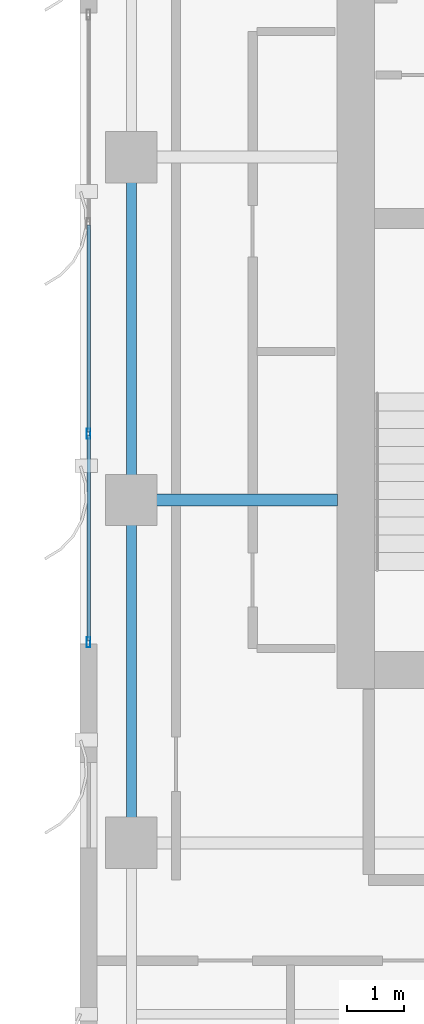
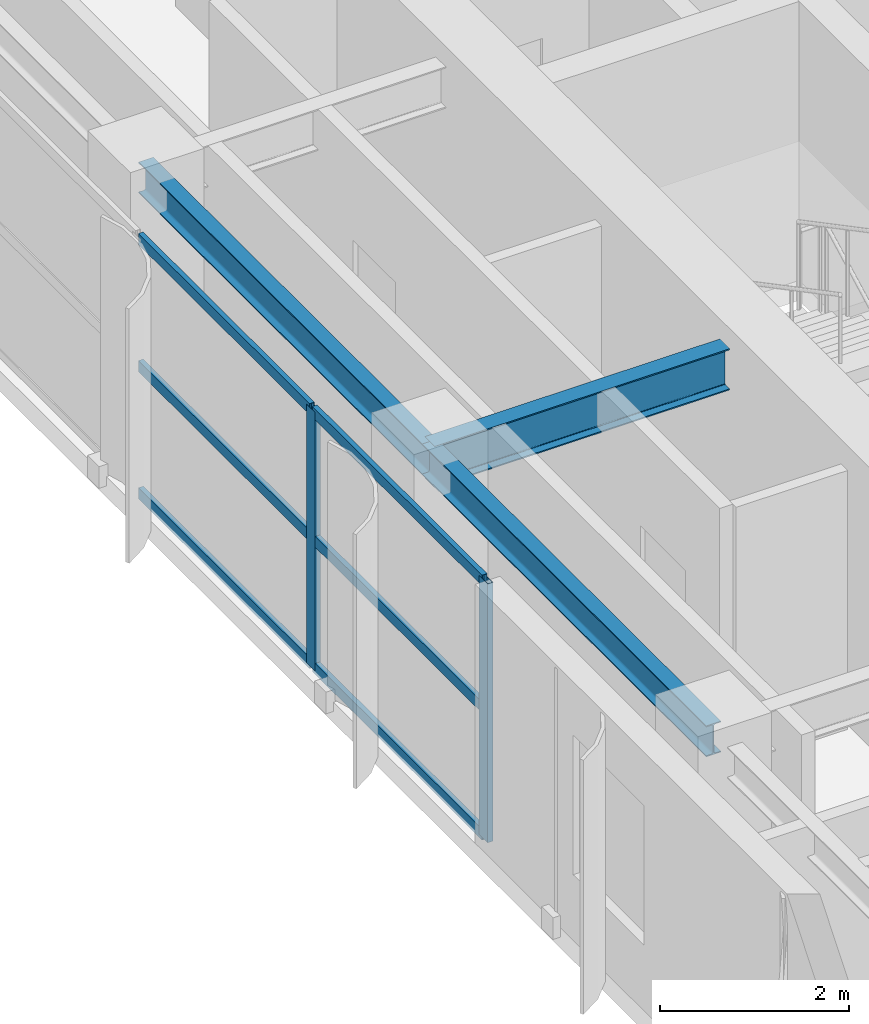
# One storey, part 5 of 21: 8 members, 3 beams, 1 element without a shape of its own.
"""IFC4 building model written with IfcOpenShell, lengths in metres."""

from ifc_helpers import new_model, si_unit, direction, frame, origin, origin_2d, place, context, subcontext, project, spatial, hollow_rectangle, i_section, extrude, source, transform, mapped, material, layer, layer_set, material_profile, profile_set, type_object, element, aggregate, save


model = new_model("IFC4")

# Units and contexts
model_context = context("Model", 3, precision=1e-05, world=origin(), true_north=direction((0.0, 1.0)))
body_context = subcontext(model_context, "Body", "Model", "MODEL_VIEW")
ifc_project = project(units=[si_unit("LENGTHUNIT", "METRE"), si_unit("AREAUNIT", "SQUARE_METRE"), si_unit("VOLUMEUNIT", "CUBIC_METRE"), si_unit("PLANEANGLEUNIT", "RADIAN"), si_unit("MASSUNIT", "GRAM", prefix="KILO")], contexts=[model_context])

# Site, building, storey
site_placement = place(None, origin())
site = spatial("IfcSite", under=ifc_project, at=site_placement, CompositionType="ELEMENT")
building_placement = place(site_placement, origin())
building = spatial("IfcBuilding", under=site, at=building_placement, Name="Khoralis Quay Care Tower", CompositionType="ELEMENT")
storey_placement = place(building_placement, frame((0.0, 0.0, 159.300048828125)))
storey = spatial("IfcBuildingStorey", under=building, at=storey_placement, Name="L41", CompositionType="ELEMENT", Elevation=159.300048828125)

# Beams
ifc_material_1 = material(Name="Steel S355", Category="steel")
ifc_material_profile_1 = material_profile(ifc_material_1, i_section(OverallWidth=0.179931640625, OverallDepth=0.39990234375, WebThickness=0.008544921875, FlangeThickness=0.013427734375, FilletRadius=0.02099609375, at=origin_2d()), Name="Steel S355")
ifc_profile_set_1 = profile_set([ifc_material_profile_1], Name="Steel S355")
beam_type_1 = type_object("IfcBeamType", Name="BM-IPE400", PredefinedType="SPANDREL", material=ifc_profile_set_1)
shared_shape_1 = source(origin(), body_context, "Body", "SweptSolid", [
    extrude(i_section(OverallWidth=0.179931640625, OverallDepth=0.39990234375, WebThickness=0.008544921875, FlangeThickness=0.013427734375, FilletRadius=0.02099609375, at=origin_2d()), origin(), (0.0, 0.0, 1.0), 6.0),
])
for number, where, z_axis, x_axis, name in (
    (1, (3.89990234375, 12.0, 3.139892578125), (0.0, 1.0, 0.0), (-1.0, 0.0, 0.0), "BM-TSP-L41-10"),
    (2, (3.89990234375, 18.0, 3.139892578125), (0.0, 1.0, 0.0), (-1.0, 0.0, 0.0), "BM-TSP-L41-11"),
):
    element("IfcBeam", number, at=place(storey_placement, frame(where, z_axis=z_axis, x_axis=x_axis)), inside=storey, type_object=beam_type_1, Name=name, PredefinedType="SPANDREL", context=body_context, shape_type="MappedRepresentation", body=[
        mapped(shared_shape_1, transform((0.0, 0.0, 0.0), scale=1.0)),
    ])
ifc_material_profile_2 = material_profile(ifc_material_1, i_section(OverallWidth=0.208984375, OverallDepth=0.532958984375, WebThickness=0.01025390625, FlangeThickness=0.015625, FilletRadius=0.01611328125, at=origin_2d()), Name="Steel S355")
ifc_profile_set_2 = profile_set([ifc_material_profile_2], Name="Steel S355")
beam_type_2 = type_object("IfcBeamType", Name="BM-W530X92", PredefinedType="BEAM", material=ifc_profile_set_2)
shared_shape_2 = source(origin(), body_context, "Body", "SweptSolid", [
    extrude(i_section(OverallWidth=0.208984375, OverallDepth=0.532958984375, WebThickness=0.01025390625, FlangeThickness=0.015625, FilletRadius=0.01611328125, at=origin_2d()), origin(), (0.0, 0.0, 1.0), 3.60205078125),
])
beam_placement = place(storey_placement, frame((3.89990234375, 18.0, 3.073486328125), z_axis=(1.0, 0.0, 0.0), x_axis=(0.0, 1.0, 0.0)))
element("IfcBeam", 3, at=beam_placement, inside=storey, type_object=beam_type_2, Name="BM-TGXW-L41-180", PredefinedType="BEAM", context=body_context, shape_type="MappedRepresentation", body=[
    mapped(shared_shape_2, transform((0.0, 0.0, 0.0), scale=1.0)),
])

# Curtain wall, members
ifc_material_2 = material(Name="Pale anodised aluminium", Category="aluminium")
ifc_layer = layer(ifc_material_2, 0.159912109375)
ifc_layer_set = layer_set([ifc_layer], Name="Pale anodised aluminium")
curtain_wall_type = type_object("IfcCurtainWallType", Name="CW-SYS-Z3", PredefinedType="NOTDEFINED", material=ifc_layer_set)
curtain_wall_placement = place(storey_placement, origin())
curtain_wall = element("IfcCurtainWall", 4, at=curtain_wall_placement, inside=storey, type_object=curtain_wall_type, Name="L41 Unitised Curtain Wall CW-L41-P1-E15", PredefinedType="NOTDEFINED")
ifc_material_profile_3 = material_profile(ifc_material_2, hollow_rectangle(XDim=0.06494140625, YDim=0.179931640625, WallThickness=0.00390625, at=origin_2d()), Name="Pale anodised aluminium")
ifc_profile_set_3 = profile_set([ifc_material_profile_3], Name="Pale anodised aluminium")
member_type_1 = type_object("IfcMemberType", Name="CW-MUL-180", PredefinedType="MULLION", material=ifc_profile_set_3)
shared_shape_3 = source(origin(), body_context, "Body", "SweptSolid", [
    extrude(hollow_rectangle(XDim=0.06494140625, YDim=0.179931640625, WallThickness=0.00390625, at=origin_2d()), origin(), (0.0, 0.0, 1.0), 3.33984375),
])
member_1_placement = place(storey_placement, frame((3.14990234375, 19.159912109375, 0.0), z_axis=(0.0, 0.0, 1.0), x_axis=(1.0, 0.0, 0.0)))
member_1 = element("IfcMember", 5, at=member_1_placement, type_object=member_type_1, Name="CW3 mullion 3", PredefinedType="MULLION", context=body_context, shape_type="MappedRepresentation", body=[
    mapped(shared_shape_3, transform((0.0, 0.0, 0.0), scale=1.0)),
])
member_2_placement = place(storey_placement, frame((3.14990234375, 15.510009765625, 0.0), z_axis=(0.0, 0.0, 1.0), x_axis=(1.0, 0.0, 0.0)))
member_2 = element("IfcMember", 6, at=member_2_placement, type_object=member_type_1, Name="CW3 mullion 4", PredefinedType="MULLION", context=body_context, shape_type="MappedRepresentation", body=[
    mapped(shared_shape_3, transform((0.0, 0.0, 0.0), scale=1.0)),
])
ifc_material_profile_4 = material_profile(ifc_material_2, hollow_rectangle(XDim=0.06005859375, YDim=0.139892578125, WallThickness=0.00390625, at=origin_2d()), Name="Pale anodised aluminium")
ifc_profile_set_4 = profile_set([ifc_material_profile_4], Name="Pale anodised aluminium")
member_type_2 = type_object("IfcMemberType", Name="CW-TRN-140", PredefinedType="USERDEFINED", material=ifc_profile_set_4)
shared_shape_4 = source(origin(), body_context, "Body", "SweptSolid", [
    extrude(hollow_rectangle(XDim=0.06005859375, YDim=0.139892578125, WallThickness=0.00390625, at=origin_2d()), origin(), (0.0, 0.0, 1.0), 3.58984375),
])
member_3_placement = place(storey_placement, frame((3.14990234375, 19.1298828125, 0.030029296875), z_axis=(0.0, -1.0, 0.0), x_axis=(1.0, 0.0, 0.0)))
member_3 = element("IfcMember", 7, at=member_3_placement, type_object=member_type_2, Name="CW3 transom 3.1", ObjectType="TRANSOM", PredefinedType="USERDEFINED", context=body_context, shape_type="MappedRepresentation", body=[
    mapped(shared_shape_4, transform((0.0, 0.0, 0.0), scale=1.0)),
])
member_4_placement = place(storey_placement, frame((3.14990234375, 19.1298828125, 1.669921875), z_axis=(0.0, -1.0, 0.0), x_axis=(1.0, 0.0, 0.0)))
member_4 = element("IfcMember", 8, at=member_4_placement, type_object=member_type_2, Name="CW3 transom 3.2", ObjectType="TRANSOM", PredefinedType="USERDEFINED", context=body_context, shape_type="MappedRepresentation", body=[
    mapped(shared_shape_4, transform((0.0, 0.0, 0.0), scale=1.0)),
])
member_5_placement = place(storey_placement, frame((3.14990234375, 19.1298828125, 3.31005859375), z_axis=(0.0, -1.0, 0.0), x_axis=(1.0, 0.0, 0.0)))
member_5 = element("IfcMember", 9, at=member_5_placement, type_object=member_type_2, Name="CW3 transom 3.3", ObjectType="TRANSOM", PredefinedType="USERDEFINED", context=body_context, shape_type="MappedRepresentation", body=[
    mapped(shared_shape_4, transform((0.0, 0.0, 0.0), scale=1.0)),
])
shared_shape_5 = source(origin(), body_context, "Body", "SweptSolid", [
    extrude(hollow_rectangle(XDim=0.06005859375, YDim=0.139892578125, WallThickness=0.00390625, at=origin_2d()), origin(), (0.0, 0.0, 1.0), 3.6201171875),
])
member_6_placement = place(storey_placement, frame((3.14990234375, 22.81005859375, 0.030029296875), z_axis=(0.0, -1.0, 0.0), x_axis=(1.0, 0.0, 0.0)))
member_6 = element("IfcMember", 10, at=member_6_placement, type_object=member_type_2, Name="CW3 transom 2.1", ObjectType="TRANSOM", PredefinedType="USERDEFINED", context=body_context, shape_type="MappedRepresentation", body=[
    mapped(shared_shape_5, transform((0.0, 0.0, 0.0), scale=1.0)),
])
member_7_placement = place(storey_placement, frame((3.14990234375, 22.81005859375, 1.669921875), z_axis=(0.0, -1.0, 0.0), x_axis=(1.0, 0.0, 0.0)))
member_7 = element("IfcMember", 11, at=member_7_placement, type_object=member_type_2, Name="CW3 transom 2.2", ObjectType="TRANSOM", PredefinedType="USERDEFINED", context=body_context, shape_type="MappedRepresentation", body=[
    mapped(shared_shape_5, transform((0.0, 0.0, 0.0), scale=1.0)),
])
member_8_placement = place(storey_placement, frame((3.14990234375, 22.81005859375, 3.31005859375), z_axis=(0.0, -1.0, 0.0), x_axis=(1.0, 0.0, 0.0)))
member_8 = element("IfcMember", 12, at=member_8_placement, type_object=member_type_2, Name="CW3 transom 2.3", ObjectType="TRANSOM", PredefinedType="USERDEFINED", context=body_context, shape_type="MappedRepresentation", body=[
    mapped(shared_shape_5, transform((0.0, 0.0, 0.0), scale=1.0)),
])
aggregate(curtain_wall, [member_1, member_2, member_6, member_7, member_8, member_3, member_4, member_5])

save(model, "model.ifc")
